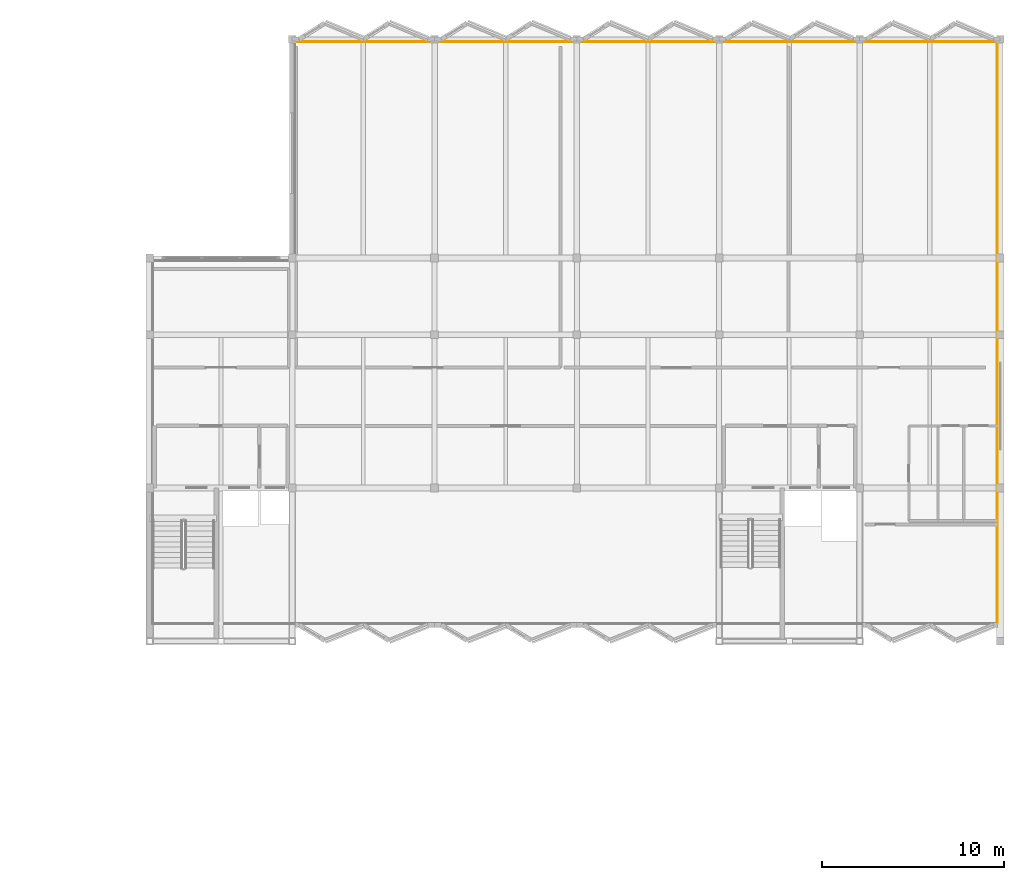
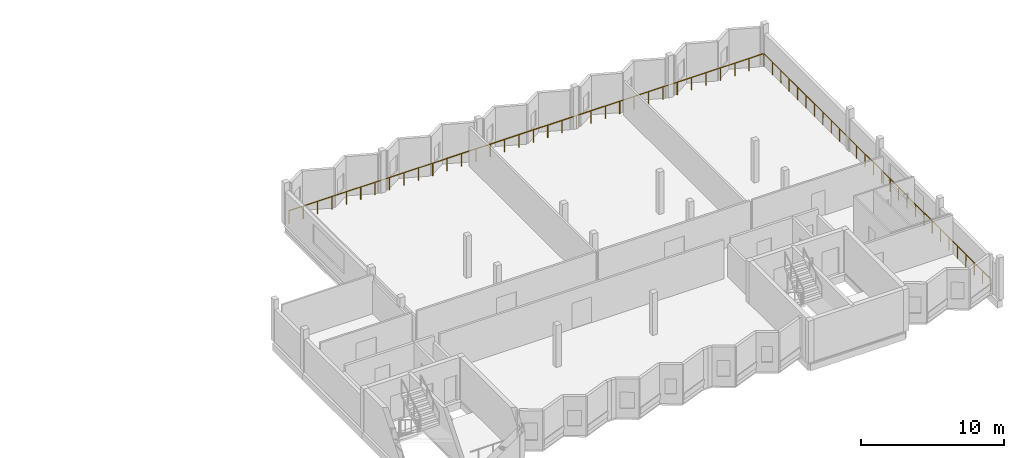
# One storey, part 22 of 22: 2 railings.
"""IFC4 building model written with IfcOpenShell, lengths in metres."""

from ifc_helpers import new_model, si_unit, direction, frame, origin, origin_2d, place, context, subcontext, project, spatial, circle, extrude, material, type_object, element, save


model = new_model("IFC4")

# Units and contexts
model_context = context("Model", 3, precision=1e-05, world=origin(), true_north=direction((0.0, 1.0)))
body_context = subcontext(model_context, "Body", "Model", "MODEL_VIEW")
ifc_project = project(units=[si_unit("LENGTHUNIT", "METRE"), si_unit("AREAUNIT", "SQUARE_METRE"), si_unit("VOLUMEUNIT", "CUBIC_METRE"), si_unit("PLANEANGLEUNIT", "RADIAN"), si_unit("MASSUNIT", "GRAM", prefix="KILO")], contexts=[model_context])

# Site, building, storey
site_placement = place(None, origin())
site = spatial("IfcSite", under=ifc_project, at=site_placement, CompositionType="ELEMENT")
building_placement = place(site_placement, origin())
building = spatial("IfcBuilding", under=site, at=building_placement, Name="Vharandega Faculty of Natural Sciences", CompositionType="ELEMENT")
storey_placement = place(building_placement, frame((0.0, 0.0, 28.800048828125)))
storey = spatial("IfcBuildingStorey", under=building, at=storey_placement, Name="L07", CompositionType="ELEMENT", Elevation=28.800048828125)

# Railings
ifc_material = material(Name="Galvanised painted steel balustrade", Category="steel")
railing_type = type_object("IfcRailingType", Name="Terrace Steel Guardrail 1100", PredefinedType="GUARDRAIL", material=ifc_material)
railing_1_placement = place(storey_placement, frame((161.25, 64.97509765625, 0.0)))
element("IfcRailing", 1, at=railing_1_placement, inside=storey, type_object=railing_type, Name="Perimeter Sill Guard L07 #2", PredefinedType="GUARDRAIL", context=body_context, shape_type="SweptSolid", body=[
    extrude(circle(Radius=0.02392578125, at=origin_2d()), frame((0.0, 0.0, 1.076171875), z_axis=(0.0, 1.0, 0.0), x_axis=(-1.0, 0.0, 0.0)), (0.0, 0.0, 1.0), 31.849853515625),
    extrude(circle(Radius=0.02099609375, at=origin_2d()), origin(), (0.0, 0.0, 1.0), 1.052001953125),
    extrude(circle(Radius=0.02099609375, at=origin_2d()), frame((0.0, 1.1796875, 0.0)), (0.0, 0.0, 1.0), 1.052001953125),
    extrude(circle(Radius=0.02099609375, at=origin_2d()), frame((0.0, 2.359130859375, 0.0)), (0.0, 0.0, 1.0), 1.052001953125),
    extrude(circle(Radius=0.02099609375, at=origin_2d()), frame((0.0, 3.538818359375, 0.0)), (0.0, 0.0, 1.0), 1.052001953125),
    extrude(circle(Radius=0.02099609375, at=origin_2d()), frame((0.0, 4.718505859375, 0.0)), (0.0, 0.0, 1.0), 1.052001953125),
    extrude(circle(Radius=0.02099609375, at=origin_2d()), frame((0.0, 5.898193359375, 0.0)), (0.0, 0.0, 1.0), 1.052001953125),
    extrude(circle(Radius=0.02099609375, at=origin_2d()), frame((0.0, 7.07763671875, 0.0)), (0.0, 0.0, 1.0), 1.052001953125),
    extrude(circle(Radius=0.02099609375, at=origin_2d()), frame((0.0, 8.25732421875, 0.0)), (0.0, 0.0, 1.0), 1.052001953125),
    extrude(circle(Radius=0.02099609375, at=origin_2d()), frame((0.0, 9.43701171875, 0.0)), (0.0, 0.0, 1.0), 1.052001953125),
    extrude(circle(Radius=0.02099609375, at=origin_2d()), frame((0.0, 10.61669921875, 0.0)), (0.0, 0.0, 1.0), 1.052001953125),
    extrude(circle(Radius=0.02099609375, at=origin_2d()), frame((0.0, 11.796142578125, 0.0)), (0.0, 0.0, 1.0), 1.052001953125),
    extrude(circle(Radius=0.02099609375, at=origin_2d()), frame((0.0, 12.975830078125, 0.0)), (0.0, 0.0, 1.0), 1.052001953125),
    extrude(circle(Radius=0.02099609375, at=origin_2d()), frame((0.0, 14.155517578125, 0.0)), (0.0, 0.0, 1.0), 1.052001953125),
    extrude(circle(Radius=0.02099609375, at=origin_2d()), frame((0.0, 15.335205078125, 0.0)), (0.0, 0.0, 1.0), 1.052001953125),
    extrude(circle(Radius=0.02099609375, at=origin_2d()), frame((0.0, 16.5146484375, 0.0)), (0.0, 0.0, 1.0), 1.052001953125),
    extrude(circle(Radius=0.02099609375, at=origin_2d()), frame((0.0, 17.6943359375, 0.0)), (0.0, 0.0, 1.0), 1.052001953125),
    extrude(circle(Radius=0.02099609375, at=origin_2d()), frame((0.0, 18.8740234375, 0.0)), (0.0, 0.0, 1.0), 1.052001953125),
    extrude(circle(Radius=0.02099609375, at=origin_2d()), frame((0.0, 20.0537109375, 0.0)), (0.0, 0.0, 1.0), 1.052001953125),
    extrude(circle(Radius=0.02099609375, at=origin_2d()), frame((0.0, 21.233154296875, 0.0)), (0.0, 0.0, 1.0), 1.052001953125),
    extrude(circle(Radius=0.02099609375, at=origin_2d()), frame((0.0, 22.412841796875, 0.0)), (0.0, 0.0, 1.0), 1.052001953125),
    extrude(circle(Radius=0.02099609375, at=origin_2d()), frame((0.0, 23.592529296875, 0.0)), (0.0, 0.0, 1.0), 1.052001953125),
    extrude(circle(Radius=0.02099609375, at=origin_2d()), frame((0.0, 24.772216796875, 0.0)), (0.0, 0.0, 1.0), 1.052001953125),
    extrude(circle(Radius=0.02099609375, at=origin_2d()), frame((0.0, 25.95166015625, 0.0)), (0.0, 0.0, 1.0), 1.052001953125),
    extrude(circle(Radius=0.02099609375, at=origin_2d()), frame((0.0, 27.13134765625, 0.0)), (0.0, 0.0, 1.0), 1.052001953125),
    extrude(circle(Radius=0.02099609375, at=origin_2d()), frame((0.0, 28.31103515625, 0.0)), (0.0, 0.0, 1.0), 1.052001953125),
    extrude(circle(Radius=0.02099609375, at=origin_2d()), frame((0.0, 29.49072265625, 0.0)), (0.0, 0.0, 1.0), 1.052001953125),
    extrude(circle(Radius=0.02099609375, at=origin_2d()), frame((0.0, 30.670166015625, 0.0)), (0.0, 0.0, 1.0), 1.052001953125),
    extrude(circle(Radius=0.02099609375, at=origin_2d()), frame((0.0, 31.849853515625, 0.0)), (0.0, 0.0, 1.0), 1.052001953125),
])
railing_2_placement = place(storey_placement, frame((161.22509765625, 96.85009765625, 0.0)))
element("IfcRailing", 2, at=railing_2_placement, inside=storey, type_object=railing_type, Name="Perimeter Sill Guard L07 #3", PredefinedType="GUARDRAIL", context=body_context, shape_type="SweptSolid", body=[
    extrude(circle(Radius=0.02392578125, at=origin_2d()), frame((0.0, 0.0, 1.076171875), z_axis=(-1.0, 0.0, 0.0), x_axis=(0.0, -1.0, 0.0)), (0.0, 0.0, 1.0), 38.4501953125),
    extrude(circle(Radius=0.02099609375, at=origin_2d()), origin(), (0.0, 0.0, 1.0), 1.052001953125),
    extrude(circle(Radius=0.02099609375, at=origin_2d()), frame((-1.1650390625, 0.0, 0.0)), (0.0, 0.0, 1.0), 1.052001953125),
    extrude(circle(Radius=0.02099609375, at=origin_2d()), frame((-2.330322265625, 0.0, 0.0)), (0.0, 0.0, 1.0), 1.052001953125),
    extrude(circle(Radius=0.02099609375, at=origin_2d()), frame((-3.495361328125, 0.0, 0.0)), (0.0, 0.0, 1.0), 1.052001953125),
    extrude(circle(Radius=0.02099609375, at=origin_2d()), frame((-4.66064453125, 0.0, 0.0)), (0.0, 0.0, 1.0), 1.052001953125),
    extrude(circle(Radius=0.02099609375, at=origin_2d()), frame((-5.82568359375, 0.0, 0.0)), (0.0, 0.0, 1.0), 1.052001953125),
    extrude(circle(Radius=0.02099609375, at=origin_2d()), frame((-6.990966796875, 0.0, 0.0)), (0.0, 0.0, 1.0), 1.052001953125),
    extrude(circle(Radius=0.02099609375, at=origin_2d()), frame((-8.156005859375, 0.0, 0.0)), (0.0, 0.0, 1.0), 1.052001953125),
    extrude(circle(Radius=0.02099609375, at=origin_2d()), frame((-9.3212890625, 0.0, 0.0)), (0.0, 0.0, 1.0), 1.052001953125),
    extrude(circle(Radius=0.02099609375, at=origin_2d()), frame((-10.486328125, 0.0, 0.0)), (0.0, 0.0, 1.0), 1.052001953125),
    extrude(circle(Radius=0.02099609375, at=origin_2d()), frame((-11.651611328125, 0.0, 0.0)), (0.0, 0.0, 1.0), 1.052001953125),
    extrude(circle(Radius=0.02099609375, at=origin_2d()), frame((-12.816650390625, 0.0, 0.0)), (0.0, 0.0, 1.0), 1.052001953125),
    extrude(circle(Radius=0.02099609375, at=origin_2d()), frame((-13.98193359375, 0.0, 0.0)), (0.0, 0.0, 1.0), 1.052001953125),
    extrude(circle(Radius=0.02099609375, at=origin_2d()), frame((-15.14697265625, 0.0, 0.0)), (0.0, 0.0, 1.0), 1.052001953125),
    extrude(circle(Radius=0.02099609375, at=origin_2d()), frame((-16.312255859375, 0.0, 0.0)), (0.0, 0.0, 1.0), 1.052001953125),
    extrude(circle(Radius=0.02099609375, at=origin_2d()), frame((-17.477294921875, 0.0, 0.0)), (0.0, 0.0, 1.0), 1.052001953125),
    extrude(circle(Radius=0.02099609375, at=origin_2d()), frame((-18.642578125, 0.0, 0.0)), (0.0, 0.0, 1.0), 1.052001953125),
    extrude(circle(Radius=0.02099609375, at=origin_2d()), frame((-19.8076171875, 0.0, 0.0)), (0.0, 0.0, 1.0), 1.052001953125),
    extrude(circle(Radius=0.02099609375, at=origin_2d()), frame((-20.972900390625, 0.0, 0.0)), (0.0, 0.0, 1.0), 1.052001953125),
    extrude(circle(Radius=0.02099609375, at=origin_2d()), frame((-22.137939453125, 0.0, 0.0)), (0.0, 0.0, 1.0), 1.052001953125),
    extrude(circle(Radius=0.02099609375, at=origin_2d()), frame((-23.30322265625, 0.0, 0.0)), (0.0, 0.0, 1.0), 1.052001953125),
    extrude(circle(Radius=0.02099609375, at=origin_2d()), frame((-24.46826171875, 0.0, 0.0)), (0.0, 0.0, 1.0), 1.052001953125),
    extrude(circle(Radius=0.02099609375, at=origin_2d()), frame((-25.633544921875, 0.0, 0.0)), (0.0, 0.0, 1.0), 1.052001953125),
    extrude(circle(Radius=0.02099609375, at=origin_2d()), frame((-26.798583984375, 0.0, 0.0)), (0.0, 0.0, 1.0), 1.052001953125),
    extrude(circle(Radius=0.02099609375, at=origin_2d()), frame((-27.9638671875, 0.0, 0.0)), (0.0, 0.0, 1.0), 1.052001953125),
    extrude(circle(Radius=0.02099609375, at=origin_2d()), frame((-29.12890625, 0.0, 0.0)), (0.0, 0.0, 1.0), 1.052001953125),
    extrude(circle(Radius=0.02099609375, at=origin_2d()), frame((-30.294189453125, 0.0, 0.0)), (0.0, 0.0, 1.0), 1.052001953125),
    extrude(circle(Radius=0.02099609375, at=origin_2d()), frame((-31.459228515625, 0.0, 0.0)), (0.0, 0.0, 1.0), 1.052001953125),
    extrude(circle(Radius=0.02099609375, at=origin_2d()), frame((-32.62451171875, 0.0, 0.0)), (0.0, 0.0, 1.0), 1.052001953125),
    extrude(circle(Radius=0.02099609375, at=origin_2d()), frame((-33.78955078125, 0.0, 0.0)), (0.0, 0.0, 1.0), 1.052001953125),
    extrude(circle(Radius=0.02099609375, at=origin_2d()), frame((-34.954833984375, 0.0, 0.0)), (0.0, 0.0, 1.0), 1.052001953125),
    extrude(circle(Radius=0.02099609375, at=origin_2d()), frame((-36.119873046875, 0.0, 0.0)), (0.0, 0.0, 1.0), 1.052001953125),
    extrude(circle(Radius=0.02099609375, at=origin_2d()), frame((-37.28515625, 0.0, 0.0)), (0.0, 0.0, 1.0), 1.052001953125),
    extrude(circle(Radius=0.02099609375, at=origin_2d()), frame((-38.4501953125, 0.0, 0.0)), (0.0, 0.0, 1.0), 1.052001953125),
])

save(model, "model.ifc")
